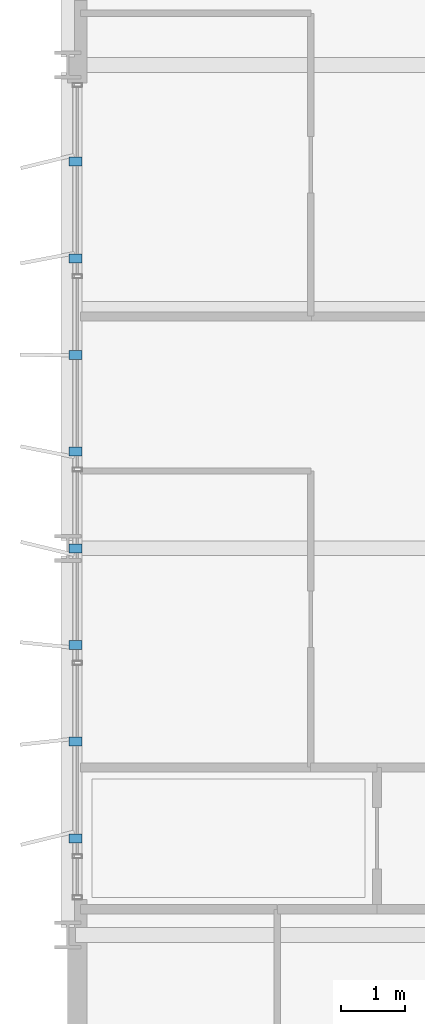
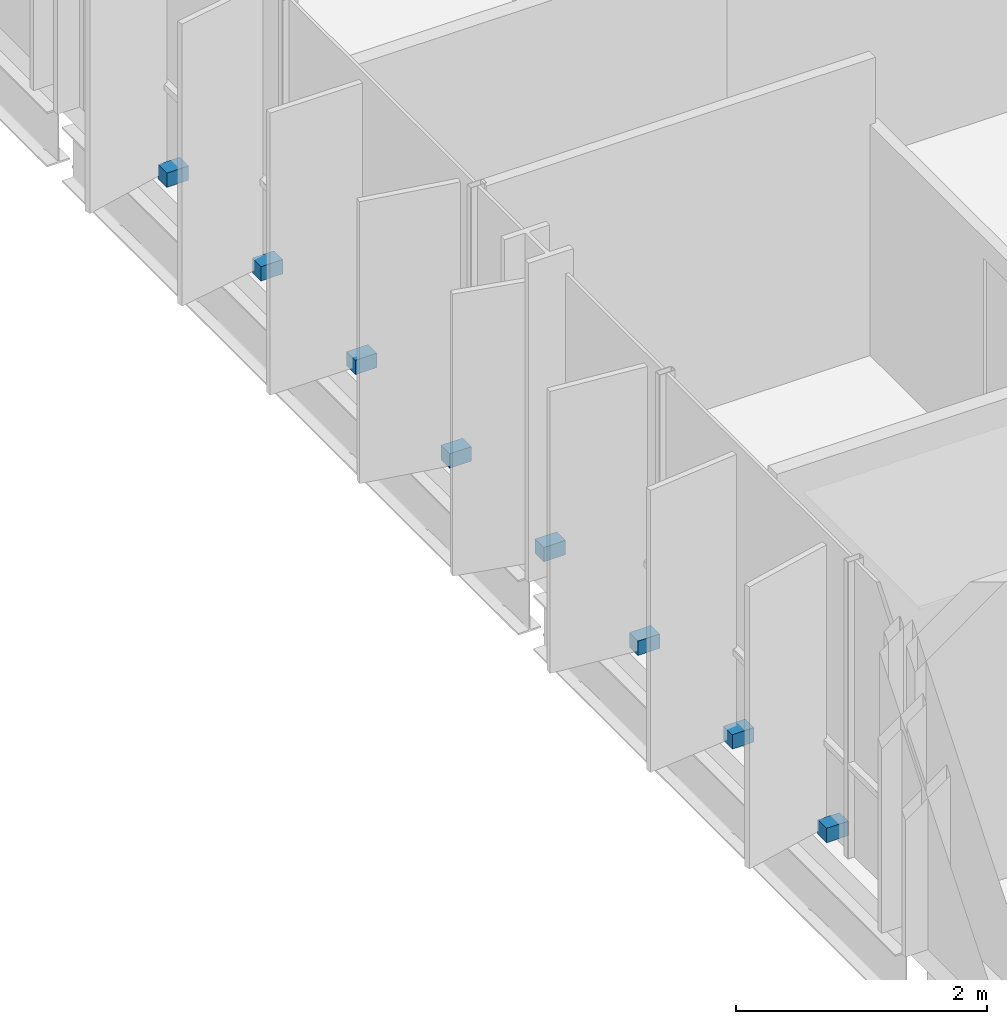
# One storey, part 34 of 39: 8 discrete accessories.
"""IFC4 building model written with IfcOpenShell, lengths in metres."""

from ifc_helpers import new_model, si_unit, direction, frame, origin, origin_2d, place, context, subcontext, project, spatial, rectangle, extrude, material, type_object, element, save


model = new_model("IFC4")

# Units and contexts
model_context = context("Model", 3, precision=1e-05, world=origin(), true_north=direction((0.0, 1.0)))
body_context = subcontext(model_context, "Body", "Model", "MODEL_VIEW")
ifc_project = project(units=[si_unit("LENGTHUNIT", "METRE"), si_unit("AREAUNIT", "SQUARE_METRE"), si_unit("VOLUMEUNIT", "CUBIC_METRE"), si_unit("PLANEANGLEUNIT", "RADIAN"), si_unit("MASSUNIT", "GRAM", prefix="KILO")], contexts=[model_context])

# Site, building, storey
site_placement = place(None, origin())
site = spatial("IfcSite", under=ifc_project, at=site_placement, CompositionType="ELEMENT")
building_placement = place(site_placement, origin())
building = spatial("IfcBuilding", under=site, at=building_placement, Name="Brevholm Reach", CompositionType="ELEMENT")
storey_placement = place(building_placement, frame((0.0, 0.0, 109.699951171875)))
storey = spatial("IfcBuildingStorey", under=building, at=storey_placement, Name="L32", CompositionType="ELEMENT", Elevation=109.699951171875)

# Discrete accessories
ifc_material = material(Name="Duplex Stainless Steel EN 1.4462", Category="steel")
discrete_accessory_type = type_object("IfcDiscreteAccessoryType", Name="ACC-BRK-01", PredefinedType="BRACKET", material=ifc_material)
for number, where, z_axis, x_axis, name in (
    (1, (0.1201171875, 11.5, 0.0302734375), (0.0, 0.0, 1.0), (-1.0, 0.0, 0.0), "L32 Solar Screen Support Bracket 1"),
    (2, (0.1201171875, 13.0, 0.0302734375), (0.0, 0.0, 1.0), (-1.0, 0.0, 0.0), "L32 Solar Screen Support Bracket 2"),
    (3, (0.1201171875, 14.5, 0.0302734375), (0.0, 0.0, 1.0), (-1.0, 0.0, 0.0), "L32 Solar Screen Support Bracket 3"),
    (4, (0.1201171875, 16.0, 0.0302734375), (0.0, 0.0, 1.0), (-1.0, 0.0, 0.0), "L32 Solar Screen Support Bracket 4"),
    (5, (0.1201171875, 17.5, 0.0302734375), (0.0, 0.0, 1.0), (-1.0, 0.0, 0.0), "L32 Solar Screen Support Bracket 5"),
    (6, (0.1201171875, 19.0, 0.0302734375), (0.0, 0.0, 1.0), (-1.0, 0.0, 0.0), "L32 Solar Screen Support Bracket 6"),
    (7, (0.1201171875, 20.5, 0.0302734375), (0.0, 0.0, 1.0), (-1.0, 0.0, 0.0), "L32 Solar Screen Support Bracket 7"),
    (8, (0.1201171875, 22.0, 0.0302734375), (0.0, 0.0, 1.0), (-1.0, 0.0, 0.0), "L32 Solar Screen Support Bracket 8"),
):
    element("IfcDiscreteAccessory", number, at=place(storey_placement, frame(where, z_axis=z_axis, x_axis=x_axis)), inside=storey, type_object=discrete_accessory_type, Name=name, PredefinedType="BRACKET", context=body_context, shape_type="SweptSolid", body=[
        extrude(rectangle(XDim=0.199951171875, YDim=0.139892578125, at=origin_2d()), origin(), (0.0, 0.0, 1.0), 0.139892578125),
    ])

save(model, "model.ifc")
